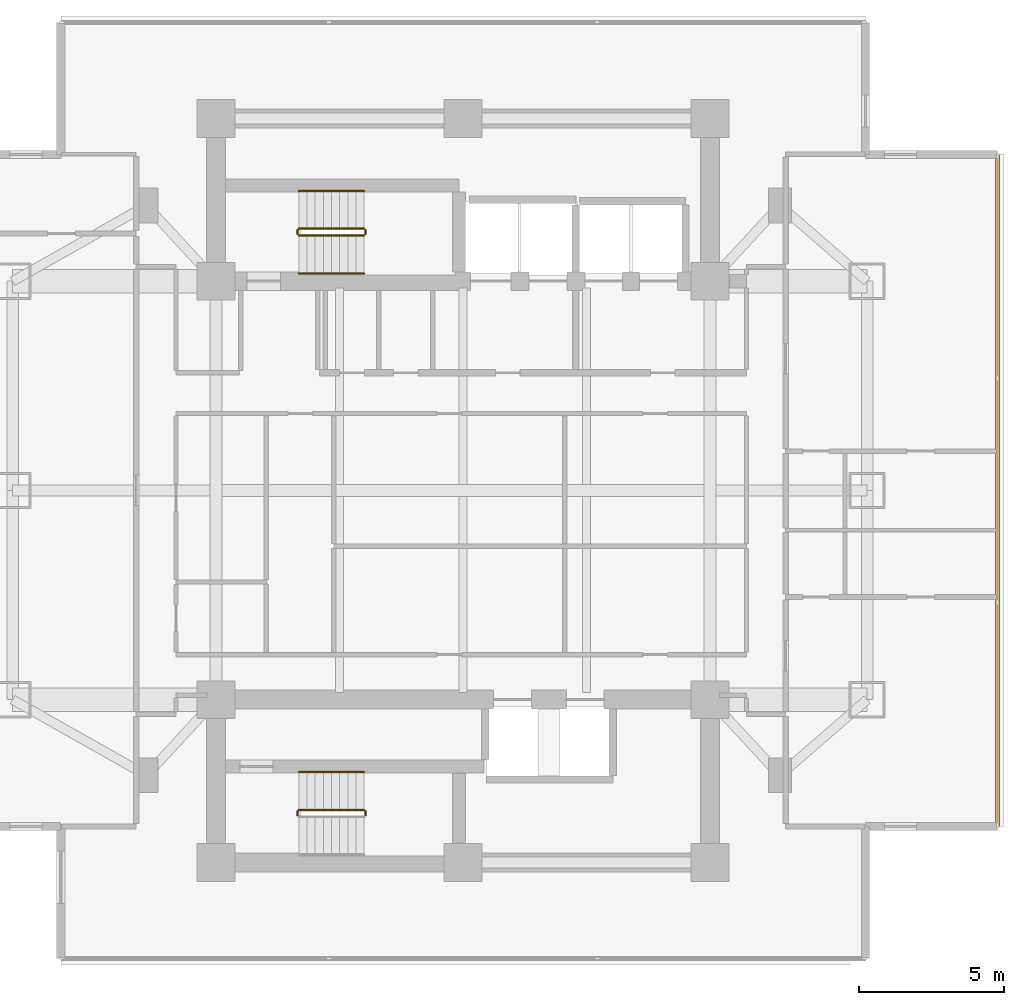
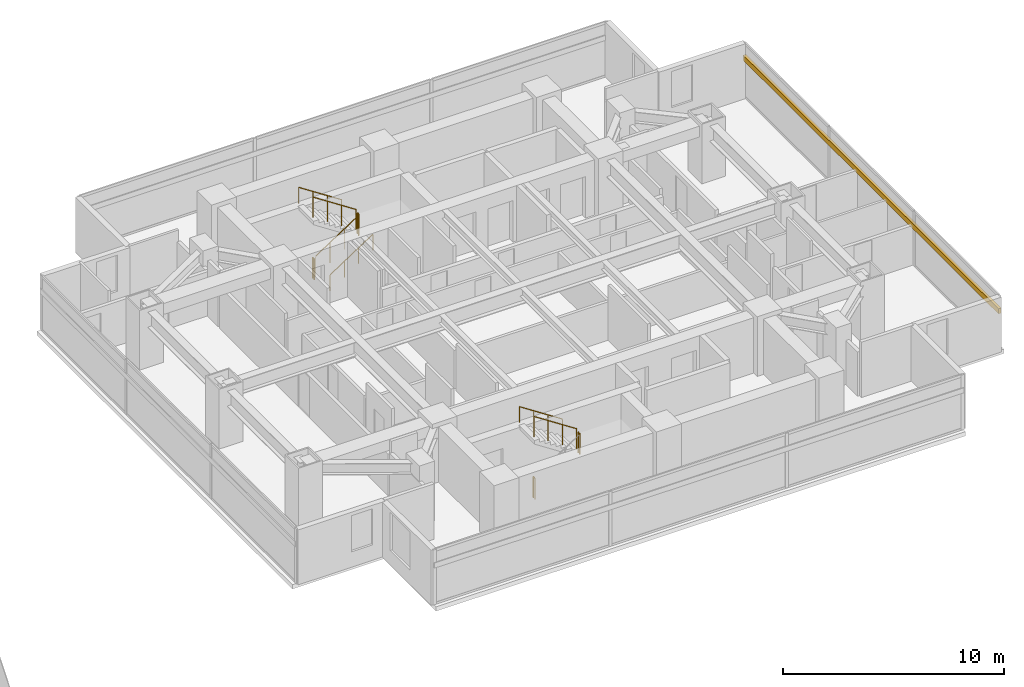
# One storey, part 23 of 24: 10 railings, 1 shading device.
"""IFC4 building model written with IfcOpenShell, lengths in metres."""

import ifcopenshell
import ifcopenshell.guid

model = None  # the IFC model being written
_history = None  # IfcOwnerHistory: only IFC2X3 demands one
_inside = {}  # id of a spatial element -> (the spatial element, [elements in it])
_under = {}  # id of a project, library or spatial element -> (it, [spatial elements below it])
_declared = {}  # id of a project -> (the project, [libraries it declares])
_typed = {}  # id of a type object -> (the type object, [elements of that type])
_made_of = {}  # id of a material, layer set ... -> (it, [elements and type objects made of it])


def new_model(schema):
    """Start an empty IFC model of exactly this schema.

    Asked for "IFC4X3", IfcOpenShell would pick the latest addendum, in which some entities
    have other attributes; the version numbers below select the first issue.
    IFC2X3 requires an IfcOwnerHistory on every rooted entity: one is made here for all.
    """
    global model, _history
    if schema == "IFC4X3":
        model = ifcopenshell.file(schema_version=(4, 3, 0, 0))
    else:
        model = ifcopenshell.file(schema=schema)
    _inside.clear()
    _under.clear()
    _declared.clear()
    _typed.clear()
    _made_of.clear()
    _history = None
    if model.schema == "IFC2X3":
        org = make("IfcOrganization", Name="unknown")
        user = make(
            "IfcPersonAndOrganization",
            ThePerson=make("IfcPerson", FamilyName="unknown"),
            TheOrganization=org,
        )
        app = make(
            "IfcApplication",
            ApplicationDeveloper=org,
            Version="unknown",
            ApplicationFullName="unknown",
            ApplicationIdentifier="unknown",
        )
        _history = make(
            "IfcOwnerHistory",
            OwningUser=user,
            OwningApplication=app,
            ChangeAction="ADDED",
            CreationDate=0,
        )
    return model


def make(cls, **values):
    """One entity of the class cls with the attributes given. An attribute that is None is left unset."""
    return model.create_entity(
        cls, **{name: value for name, value in values.items() if value is not None}
    )


def rooted(cls, **values):
    """An entity with a GlobalId (a new one), such as an element, a storey or a relation."""
    return make(cls, GlobalId=ifcopenshell.guid.new(), OwnerHistory=_history, **values)


def si_unit(unit_type, name, prefix=None):
    """IfcSIUnit, for example si_unit("LENGTHUNIT", "METRE", prefix="MILLI")."""
    return make("IfcSIUnit", UnitType=unit_type, Prefix=prefix, Name=name)


def assignment(units):
    """IfcUnitAssignment: the units of a project."""
    return None if units is None else make("IfcUnitAssignment", Units=units)


def point(xyz):
    """IfcCartesianPoint."""
    return None if xyz is None else make("IfcCartesianPoint", Coordinates=xyz)


def direction(xyz):
    """IfcDirection."""
    return None if xyz is None else make("IfcDirection", DirectionRatios=xyz)


def frame(location, z_axis=None, x_axis=None):
    """IfcAxis2Placement3D, a coordinate frame: its origin and axes. An axis left out is left unset."""
    return make(
        "IfcAxis2Placement3D",
        Location=point(location),
        Axis=direction(z_axis),
        RefDirection=direction(x_axis),
    )


def frame_2d(location, x_axis=None):
    """IfcAxis2Placement2D, a coordinate frame in the plane: its origin and x axis."""
    return make(
        "IfcAxis2Placement2D", Location=point(location), RefDirection=direction(x_axis)
    )


def origin():
    """The frame at (0, 0, 0) with its axes left unset."""
    return frame((0.0, 0.0, 0.0))


def origin_2d():
    """The frame at (0, 0) in the plane with its x axis left unset."""
    return frame_2d((0.0, 0.0))


def place(relative_to, where):
    """IfcLocalPlacement: puts the frame where relative to a parent placement (None: the world)."""
    return make(
        "IfcLocalPlacement", PlacementRelTo=relative_to, RelativePlacement=where
    )


def context(
    kind, dimensions, precision=None, world=None, true_north=None, identifier=None
):
    """IfcGeometricRepresentationContext, for example the 3D "Model" context."""
    return make(
        "IfcGeometricRepresentationContext",
        ContextIdentifier=identifier,
        ContextType=kind,
        CoordinateSpaceDimension=dimensions,
        Precision=precision,
        WorldCoordinateSystem=world,
        TrueNorth=true_north,
    )


def subcontext(parent, identifier, kind, view, scale=None):
    """IfcGeometricRepresentationSubContext, for example "Body" below "Model"."""
    return make(
        "IfcGeometricRepresentationSubContext",
        ContextIdentifier=identifier,
        ContextType=kind,
        ParentContext=parent,
        TargetScale=scale,
        TargetView=view,
    )


def project(units=None, contexts=None):
    """IfcProject with its units and contexts."""
    return rooted(
        "IfcProject",
        Name="project",
        RepresentationContexts=contexts,
        UnitsInContext=assignment(units),
    )


def spatial(cls, under=None, at=None, **own):
    """A site, building, storey or space (cls), placed at a placement, below another one or the project."""
    s = rooted(cls, ObjectPlacement=at, **own)
    if under is not None:
        _under.setdefault(under.id(), (under, []))[1].append(s)
    return s


def profile(cls, at=None, kind="AREA", **sizes):
    """A parametric profile (cls). Its sizes go by their IFC names, for example OverallWidth=200.0."""
    return make(cls, ProfileType=kind, Position=at, **sizes)


def rectangle(**sizes):
    """IfcRectangleProfileDef."""
    return profile("IfcRectangleProfileDef", **sizes)


def circle(**sizes):
    """IfcCircleProfileDef."""
    return profile("IfcCircleProfileDef", **sizes)


def extrude(swept, where, along, depth):
    """IfcExtrudedAreaSolid: the profile swept, set in the frame where, extruded along a direction by depth."""
    return make(
        "IfcExtrudedAreaSolid",
        SweptArea=swept,
        Position=where,
        ExtrudedDirection=direction(along),
        Depth=depth,
    )


def shape(context_of_items, identifier, shape_type, items):
    """IfcShapeRepresentation: the items that make up one representation, for example the "Body"."""
    return make(
        "IfcShapeRepresentation",
        ContextOfItems=context_of_items,
        RepresentationIdentifier=identifier,
        RepresentationType=shape_type,
        Items=items,
    )


def material(Name=None, Category=None):
    """IfcMaterial."""
    return make("IfcMaterial", Name=Name, Category=Category)


def material_profile(
    of_material, cross_section, Name=None, Category=None, Priority=None
):
    """IfcMaterialProfile: a cross section and its material."""
    return make(
        "IfcMaterialProfile",
        Name=Name,
        Material=of_material,
        Profile=cross_section,
        Priority=Priority,
        Category=Category,
    )


def profile_set(profiles, Name=None, composite=None):
    """IfcMaterialProfileSet."""
    return make(
        "IfcMaterialProfileSet",
        Name=Name,
        MaterialProfiles=profiles,
        CompositeProfile=composite,
    )


def made_of(thing, what):
    """Note that an element or type object is made of a material, layer set ...; save() writes the relation."""
    if what is not None:
        _made_of.setdefault(what.id(), (what, []))[1].append(thing)
    return thing


def type_object(cls, material=None, **own):
    """A type object (cls), such as IfcWallType, which elements share."""
    return made_of(rooted(cls, **own), material)


def element(
    cls,
    number,
    at=None,
    inside=None,
    cuts=None,
    type_object=None,
    material=None,
    context=None,
    identifier="Body",
    shape_type=None,
    held_by="IfcProductDefinitionShape",
    body=None,
    shapes=None,
    **own,
):
    """One element of the class cls, such as IfcWall. Its Tag is "e" and its number.

    at: its placement. inside: the storey or other place that contains it. cuts: it is an
    opening in that element (IfcRelVoidsElement). A single representation is given by context,
    identifier, shape_type and body (its items); several are given by shapes. held_by: the class
    of the entity that holds the representations. save() writes the other relations.
    """
    e = rooted(cls, Tag="e%d" % number, ObjectPlacement=at, **own)
    if body is not None:
        shapes = [shape(context, identifier, shape_type, body)]
    if shapes is not None:
        e.Representation = make(held_by, Representations=shapes)
    if inside is not None:
        _inside.setdefault(inside.id(), (inside, []))[1].append(e)
    if cuts is not None:
        rooted(
            "IfcRelVoidsElement", RelatingBuildingElement=cuts, RelatedOpeningElement=e
        )
    if type_object is not None:
        _typed.setdefault(type_object.id(), (type_object, []))[1].append(e)
    return made_of(e, material)


def aggregate(whole, parts):
    """IfcRelAggregates: a whole, such as a stair, and the parts it consists of."""
    return rooted("IfcRelAggregates", RelatingObject=whole, RelatedObjects=parts)


def save(model, path):
    """Write the relations noted so far, then the file.

    IfcRelAggregates (storeys below a building ...), IfcRelContainedInSpatialStructure (elements
    in a storey), IfcRelDefinesByType, IfcRelAssociatesMaterial and IfcRelDeclares: one each for
    every whole, place, type object, material and project.
    """
    for whole, parts in _under.values():
        aggregate(whole, parts)
    for where, things in _inside.values():
        rooted(
            "IfcRelContainedInSpatialStructure",
            RelatedElements=things,
            RelatingStructure=where,
        )
    for kind, things in _typed.values():
        rooted("IfcRelDefinesByType", RelatedObjects=things, RelatingType=kind)
    for what, things in _made_of.values():
        rooted("IfcRelAssociatesMaterial", RelatedObjects=things, RelatingMaterial=what)
    for by, libraries in _declared.values():
        rooted("IfcRelDeclares", RelatingContext=by, RelatedDefinitions=libraries)
    model.write(path)


model = new_model("IFC4")

# Units and contexts
model_context = context("Model", 3, precision=1e-05, world=origin(), true_north=direction((0.0, 1.0)))
body_context = subcontext(model_context, "Body", "Model", "MODEL_VIEW")
ifc_project = project(units=[si_unit("LENGTHUNIT", "METRE"), si_unit("AREAUNIT", "SQUARE_METRE"), si_unit("VOLUMEUNIT", "CUBIC_METRE"), si_unit("PLANEANGLEUNIT", "RADIAN"), si_unit("MASSUNIT", "GRAM", prefix="KILO")], contexts=[model_context])

# Site, building, storey
site_placement = place(None, origin())
site = spatial("IfcSite", under=ifc_project, at=site_placement, CompositionType="ELEMENT")
building_placement = place(site_placement, origin())
building = spatial("IfcBuilding", under=site, at=building_placement, Name="Mirazonda Arch Towers", CompositionType="ELEMENT")
storey_placement = place(building_placement, frame((0.0, 0.0, 65.300048828125)))
storey = spatial("IfcBuildingStorey", under=building, at=storey_placement, Name="L18", CompositionType="ELEMENT", Elevation=65.300048828125)

# Shading device
ifc_material_1 = material(Name="Kiln-Fired Architectural Terracotta", Category="masonry")
ifc_material_profile = material_profile(ifc_material_1, rectangle(XDim=0.139892578125, YDim=0.280029296875, at=origin_2d()), Name="TERRA-BAG-140x280")
ifc_profile_set = profile_set([ifc_material_profile], Name="Kiln-Fired Architectural Terracotta")
shading_device_type = type_object("IfcShadingDeviceType", Name="BAGUETTE-3", PredefinedType="USERDEFINED", material=ifc_profile_set)
shading_device_placement = place(storey_placement, frame((94.89208984375, 16.436767578125, 2.188720703125), z_axis=(0.0, 1.0, 0.0), x_axis=(-1.0, 0.0, 0.0)))
element("IfcShadingDevice", 1, at=shading_device_placement, inside=storey, type_object=shading_device_type, Name="L18 Glazed Terracotta Sun-Screen Baguette CW-L18-T2-E", ObjectType="BAGUETTE", PredefinedType="USERDEFINED", context=body_context, shape_type="SweptSolid", body=[
    extrude(rectangle(XDim=0.139892578125, YDim=0.280029296875, at=origin_2d()), origin(), (0.0, 0.0, 1.0), 23.12646484375),
])

# Railings
ifc_material_2 = material(Name="Architectural Brushed Steel S355", Category="steel")
railing_type_1 = type_object("IfcRailingType", Name="GUARD-STAIR-1120", PredefinedType="GUARDRAIL", material=ifc_material_2)
railing_1_placement = place(storey_placement, frame((70.85009765625, 36.77001953125, 0.183349609375)))
element("IfcRailing", 2, at=railing_1_placement, inside=storey, type_object=railing_type_1, Name="L18 ST-T2N stair guard 1", PredefinedType="GUARDRAIL", context=body_context, shape_type="SweptSolid", body=[
    extrude(circle(Radius=0.02392578125, at=origin_2d()), frame((0.0, 0.0, 1.1259765625), z_axis=(0.836636935527, 0.0, 0.547757827979), x_axis=(0.0, 1.0, 0.0)), (0.0, 0.0, 1.0), 2.677490234375),
    extrude(circle(Radius=0.02099609375, at=origin_2d()), origin(), (0.0, 0.0, 1.0), 1.101806640625),
    extrude(circle(Radius=0.02099609375, at=origin_2d()), frame((0.74658203125, 0.0, 0.48876953125)), (0.0, 0.0, 1.0), 1.101806640625),
    extrude(circle(Radius=0.02099609375, at=origin_2d()), frame((1.493408203125, 0.0, 0.977783203125)), (0.0, 0.0, 1.0), 1.101806640625),
    extrude(circle(Radius=0.02099609375, at=origin_2d()), frame((2.239990234375, 0.0, 1.466552734375)), (0.0, 0.0, 1.0), 1.101806640625),
])
railing_2_placement = place(storey_placement, frame((73.139892578125, 36.820068359375, 1.64990234375)))
element("IfcRailing", 3, at=railing_2_placement, inside=storey, type_object=railing_type_1, Name="L18 ST-T2N stair guard 2", PredefinedType="GUARDRAIL", context=body_context, shape_type="SweptSolid", body=[
    extrude(circle(Radius=0.02392578125, at=origin_2d()), frame((0.0, 0.0, 1.1259765625), z_axis=(0.0, 1.0, 0.0), x_axis=(-1.0, 0.0, 0.0)), (0.0, 0.0, 1.0), 0.139892578125),
    extrude(circle(Radius=0.02099609375, at=origin_2d()), origin(), (0.0, 0.0, 1.0), 1.101806640625),
    extrude(circle(Radius=0.02099609375, at=origin_2d()), frame((0.0, 0.139892578125, 0.0)), (0.0, 0.0, 1.0), 1.101806640625),
])
railing_3_placement = place(storey_placement, frame((73.090087890625, 37.010009765625, 1.833251953125)))
element("IfcRailing", 4, at=railing_3_placement, inside=storey, type_object=railing_type_1, Name="L18 ST-T2N stair guard 3", PredefinedType="GUARDRAIL", context=body_context, shape_type="SweptSolid", body=[
    extrude(circle(Radius=0.02392578125, at=origin_2d()), frame((0.0, 0.0, 1.1259765625), z_axis=(-0.836595146698, 0.0, 0.547821650285), x_axis=(0.0, -1.0, 0.0)), (0.0, 0.0, 1.0), 2.677490234375),
    extrude(circle(Radius=0.02099609375, at=origin_2d()), origin(), (0.0, 0.0, 1.0), 1.101806640625),
    extrude(circle(Radius=0.02099609375, at=origin_2d()), frame((-0.74658203125, 0.0, 0.489013671875)), (0.0, 0.0, 1.0), 1.101806640625),
    extrude(circle(Radius=0.02099609375, at=origin_2d()), frame((-1.493408203125, 0.0, 0.977783203125)), (0.0, 0.0, 1.0), 1.101806640625),
    extrude(circle(Radius=0.02099609375, at=origin_2d()), frame((-2.239990234375, 0.0, 1.466796875)), (0.0, 0.0, 1.0), 1.101806640625),
])
for number, where, name in (
    (5, (70.800048828125, 36.820068359375, 0.0), "L18 ST-T2N stair guard 4"),
    (6, (73.139892578125, 16.820068359375, 1.64990234375), "L18 ST-T2S stair guard 2"),
):
    element("IfcRailing", number, at=place(storey_placement, frame(where)), inside=storey, type_object=railing_type_1, Name=name, PredefinedType="GUARDRAIL", context=body_context, shape_type="SweptSolid", body=[
        extrude(circle(Radius=0.02392578125, at=origin_2d()), frame((0.0, 0.0, 1.1259765625), z_axis=(0.0, 1.0, 0.0), x_axis=(-1.0, 0.0, 0.0)), (0.0, 0.0, 1.0), 0.139892578125),
        extrude(circle(Radius=0.02099609375, at=origin_2d()), origin(), (0.0, 0.0, 1.0), 1.101806640625),
        extrude(circle(Radius=0.02099609375, at=origin_2d()), frame((0.0, 0.139892578125, 0.0)), (0.0, 0.0, 1.0), 1.101806640625),
    ])
railing_4_placement = place(storey_placement, frame((73.090087890625, 17.010009765625, 1.833251953125)))
element("IfcRailing", 7, at=railing_4_placement, inside=storey, type_object=railing_type_1, Name="L18 ST-T2S stair guard 3", PredefinedType="GUARDRAIL", context=body_context, shape_type="SweptSolid", body=[
    extrude(circle(Radius=0.02392578125, at=origin_2d()), frame((0.0, 0.0, 1.1259765625), z_axis=(-0.836595146698, 0.0, 0.547821650285), x_axis=(0.0, -1.0, 0.0)), (0.0, 0.0, 1.0), 2.677490234375),
    extrude(circle(Radius=0.02099609375, at=origin_2d()), origin(), (0.0, 0.0, 1.0), 1.101806640625),
    extrude(circle(Radius=0.02099609375, at=origin_2d()), frame((-0.74658203125, 0.0, 0.489013671875)), (0.0, 0.0, 1.0), 1.101806640625),
    extrude(circle(Radius=0.02099609375, at=origin_2d()), frame((-1.493408203125, 0.0, 0.977783203125)), (0.0, 0.0, 1.0), 1.101806640625),
    extrude(circle(Radius=0.02099609375, at=origin_2d()), frame((-2.239990234375, 0.0, 1.466796875)), (0.0, 0.0, 1.0), 1.101806640625),
])
railing_5_placement = place(storey_placement, frame((70.800048828125, 16.820068359375, 0.0)))
element("IfcRailing", 8, at=railing_5_placement, inside=storey, type_object=railing_type_1, Name="L18 ST-T2S stair guard 4", PredefinedType="GUARDRAIL", context=body_context, shape_type="SweptSolid", body=[
    extrude(circle(Radius=0.02392578125, at=origin_2d()), frame((0.0, 0.0, 1.1259765625), z_axis=(0.0, 1.0, 0.0), x_axis=(-1.0, 0.0, 0.0)), (0.0, 0.0, 1.0), 0.139892578125),
    extrude(circle(Radius=0.02099609375, at=origin_2d()), origin(), (0.0, 0.0, 1.0), 1.101806640625),
    extrude(circle(Radius=0.02099609375, at=origin_2d()), frame((0.0, 0.139892578125, 0.0)), (0.0, 0.0, 1.0), 1.101806640625),
])
railing_type_2 = type_object("IfcRailingType", Name="HANDRAIL-915", PredefinedType="HANDRAIL", material=ifc_material_2)
railing_6_placement = place(storey_placement, frame((70.85009765625, 35.469970703125, 0.183349609375)))
element("IfcRailing", 9, at=railing_6_placement, inside=storey, type_object=railing_type_2, Name="L18 ST-T2N stair handrail 1", PredefinedType="HANDRAIL", context=body_context, shape_type="SweptSolid", body=[
    extrude(circle(Radius=0.02392578125, at=origin_2d()), frame((0.0, 0.0, 0.8759765625), z_axis=(0.836636935527, 0.0, 0.547757827979), x_axis=(0.0, 1.0, 0.0)), (0.0, 0.0, 1.0), 2.677490234375),
    extrude(circle(Radius=0.02099609375, at=origin_2d()), origin(), (0.0, 0.0, 1.0), 0.851806640625),
    extrude(circle(Radius=0.02099609375, at=origin_2d()), frame((0.74658203125, 0.0, 0.48876953125)), (0.0, 0.0, 1.0), 0.851806640625),
    extrude(circle(Radius=0.02099609375, at=origin_2d()), frame((1.493408203125, 0.0, 0.977783203125)), (0.0, 0.0, 1.0), 0.851806640625),
    extrude(circle(Radius=0.02099609375, at=origin_2d()), frame((2.239990234375, 0.0, 1.466552734375)), (0.0, 0.0, 1.0), 0.851806640625),
])
for number, where, name in (
    (10, (73.090087890625, 38.31005859375, 1.833251953125), "L18 ST-T2N stair handrail 2"),
    (11, (73.090087890625, 18.31005859375, 1.833251953125), "L18 ST-T2S stair handrail 2"),
):
    element("IfcRailing", number, at=place(storey_placement, frame(where)), inside=storey, type_object=railing_type_2, Name=name, PredefinedType="HANDRAIL", context=body_context, shape_type="SweptSolid", body=[
        extrude(circle(Radius=0.02392578125, at=origin_2d()), frame((0.0, 0.0, 0.8759765625), z_axis=(-0.836595146698, 0.0, 0.547821650285), x_axis=(0.0, -1.0, 0.0)), (0.0, 0.0, 1.0), 2.677490234375),
        extrude(circle(Radius=0.02099609375, at=origin_2d()), origin(), (0.0, 0.0, 1.0), 0.851806640625),
        extrude(circle(Radius=0.02099609375, at=origin_2d()), frame((-0.74658203125, 0.0, 0.489013671875)), (0.0, 0.0, 1.0), 0.851806640625),
        extrude(circle(Radius=0.02099609375, at=origin_2d()), frame((-1.493408203125, 0.0, 0.977783203125)), (0.0, 0.0, 1.0), 0.851806640625),
        extrude(circle(Radius=0.02099609375, at=origin_2d()), frame((-2.239990234375, 0.0, 1.466796875)), (0.0, 0.0, 1.0), 0.851806640625),
    ])

save(model, "model.ifc")
